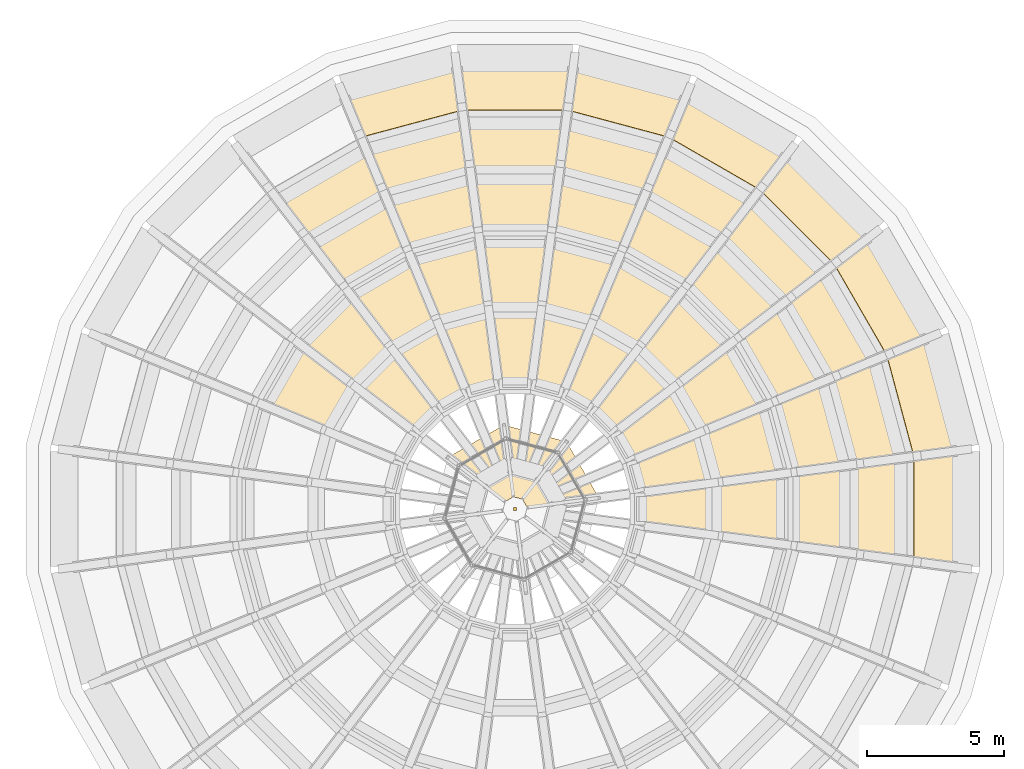
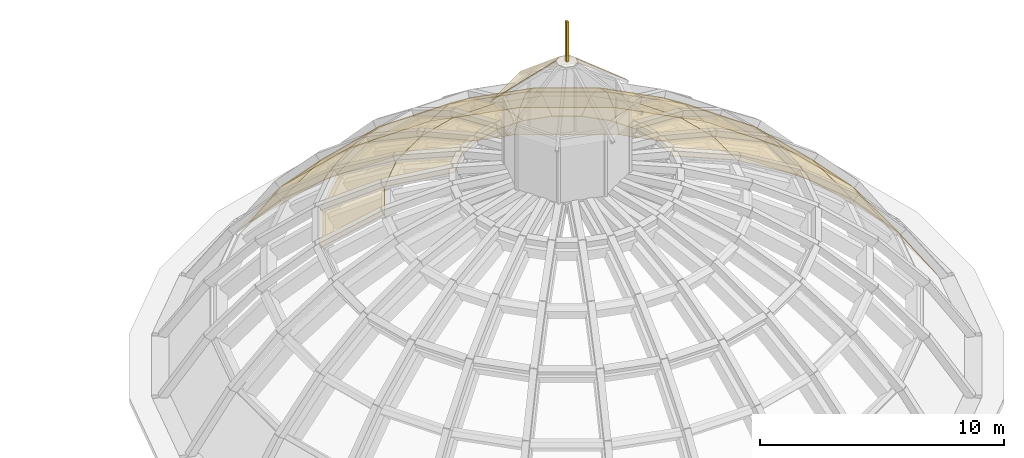
# One storey, part 29 of 29: 51 coverings.
"""IFC4 building model written with IfcOpenShell, lengths in metres."""

from ifc_helpers import new_model, si_unit, direction, frame, origin, place, context, subcontext, project, spatial, polyline, outline, extrude, material, layer, layer_set, type_object, element, save


model = new_model("IFC4")

# Units and contexts
model_context = context("Model", 3, precision=1e-05, world=origin(), true_north=direction((0.0, 1.0)))
body_context = subcontext(model_context, "Body", "Model", "MODEL_VIEW")
ifc_project = project(units=[si_unit("LENGTHUNIT", "METRE"), si_unit("AREAUNIT", "SQUARE_METRE"), si_unit("VOLUMEUNIT", "CUBIC_METRE"), si_unit("PLANEANGLEUNIT", "RADIAN"), si_unit("MASSUNIT", "GRAM", prefix="KILO")], contexts=[model_context])

# Site, building, storey
site_placement = place(None, origin())
site = spatial("IfcSite", under=ifc_project, at=site_placement, CompositionType="ELEMENT")
building_placement = place(site_placement, origin())
building = spatial("IfcBuilding", under=site, at=building_placement, Name="Golden Quay Civic Hall", CompositionType="ELEMENT")
storey_placement = place(building_placement, frame((0.0, 0.0, 27.0)))
storey = spatial("IfcBuildingStorey", under=building, at=storey_placement, Name="L06", CompositionType="ELEMENT", Elevation=27.0)

# Coverings
ifc_material_1 = material(Name="Ceramic tile")
ifc_layer_1 = layer(ifc_material_1, 0.030029296875)
ifc_layer_set_1 = layer_set([ifc_layer_1], Name="Ceramic tile roofing, green glaze")
covering_type_1 = type_object("IfcCoveringType", Name="Ceramic tile roofing, green glaze", PredefinedType="ROOFING", material=ifc_layer_set_1)
covering_1_placement = place(storey_placement, frame((101.7841796875, 87.647216796875, 0.162109375), z_axis=(0.805740157574, 0.215873860886, 0.551526313659), x_axis=(-0.258787898456, 0.96593417144, -7.500766e-06)))
element("IfcCovering", 1, at=covering_1_placement, inside=storey, type_object=covering_type_1, Name="Dome tile roofing 1.1", PredefinedType="ROOFING", context=body_context, shape_type="SweptSolid", body=[
    extrude(outline(polyline([(0.0, 0.0), (4.281332620416049, 0.0), (4.060298820204562, 3.0439011490324437), (0.22099051676284331, 3.0438281280134967), (0.0, 0.0)])), origin(), (0.0, 0.0, -1.0), 0.030029296875),
])
covering_2_placement = place(storey_placement, frame((100.673583984375, 91.78857421875, 0.162109375), z_axis=(0.722419194234, 0.41708510794, 0.551498432035), x_axis=(-0.499994774633, 0.866028420625, -3.146125e-06)))
element("IfcCovering", 2, at=covering_2_placement, inside=storey, type_object=covering_type_1, Name="Dome tile roofing 1.2", PredefinedType="ROOFING", context=body_context, shape_type="SweptSolid", body=[
    extrude(outline(polyline([(0.0, 0.0), (4.281330031252493, 0.0), (4.060276940055016, 3.043812687252853), (0.22094589185488453, 3.0437820598821443), (0.0, 0.0)])), origin(), (0.0, 0.0, -1.0), 0.030029296875),
])
covering_3_placement = place(storey_placement, frame((98.529052734375, 95.501708984375, 0.162109375), z_axis=(0.589828881025, 0.589828881025, 0.551546718074), x_axis=(-0.707106781187, 0.707106781187, 0.0)))
element("IfcCovering", 3, at=covering_3_placement, inside=storey, type_object=covering_type_1, Name="Dome tile roofing 1.3", PredefinedType="ROOFING", context=body_context, shape_type="SweptSolid", body=[
    extrude(outline(polyline([(0.0, 0.0), (4.281310589215424, 0.0), (4.060512353586129, 3.0439138695393515), (0.22079823562929546, 3.0439138695393515), (0.0, 0.0)])), origin(), (0.0, 0.0, -1.0), 0.030029296875),
])
covering_4_placement = place(storey_placement, frame((95.496337890625, 98.532958984375, 0.162109375), z_axis=(0.41708510794, 0.722419194234, 0.551498432035), x_axis=(-0.866028420625, 0.499994774633, 3.146125e-06)))
element("IfcCovering", 4, at=covering_4_placement, inside=storey, type_object=covering_type_1, Name="Dome tile roofing 1.4", PredefinedType="ROOFING", context=body_context, shape_type="SweptSolid", body=[
    extrude(outline(polyline([(0.0, 0.0), (4.281330031252493, 0.0), (4.060384139397608, 3.043782059882144), (0.22105309119747676, 3.043812687252853), (0.0, 0.0)])), origin(), (0.0, 0.0, -1.0), 0.030029296875),
])
covering_5_placement = place(storey_placement, frame((91.78271484375, 100.67626953125, 0.162109375), z_axis=(0.215873860886, 0.805740157574, 0.551526313659), x_axis=(-0.96593417144, 0.258787898456, 7.500766e-06)))
element("IfcCovering", 5, at=covering_5_placement, inside=storey, type_object=covering_type_1, Name="Dome tile roofing 1.5", PredefinedType="ROOFING", context=body_context, shape_type="SweptSolid", body=[
    extrude(outline(polyline([(0.0, 0.0), (4.281332620416049, 0.0), (4.0603421036532055, 3.0438281280134967), (0.22103380021148802, 3.0439011490324437), (0.0, 0.0)])), origin(), (0.0, 0.0, -1.0), 0.030029296875),
])
covering_6_placement = place(storey_placement, frame((87.640625, 101.78515625, 0.162109375), z_axis=(0.0, 0.834129739032, 0.551568289935), x_axis=(-1.0, 0.0, 0.0)))
element("IfcCovering", 6, at=covering_6_placement, inside=storey, type_object=covering_type_1, Name="Dome tile roofing 1.6", PredefinedType="ROOFING", context=body_context, shape_type="SweptSolid", body=[
    extrude(outline(polyline([(0.0, 0.0), (4.28125, 0.0), (4.060302734375, 3.043965921830922), (0.220947265625, 3.043965921830922), (0.0, 0.0)])), origin(), (0.0, 0.0, -1.0), 0.030029296875),
])
covering_7_placement = place(storey_placement, frame((83.352783203125, 101.7841796875, 0.162109375), z_axis=(-0.215873860886, 0.805740157574, 0.551526313659), x_axis=(-0.96593417144, -0.258787898456, -7.500766e-06)))
element("IfcCovering", 7, at=covering_7_placement, inside=storey, type_object=covering_type_1, Name="Dome tile roofing 1.7", PredefinedType="ROOFING", context=body_context, shape_type="SweptSolid", body=[
    extrude(outline(polyline([(0.0, 0.0), (4.281332620416049, 0.0), (4.060298820204562, 3.0439011490324437), (0.22099051676284331, 3.0438281280134967), (0.0, 0.0)])), origin(), (0.0, 0.0, -1.0), 0.030029296875),
])
covering_8_placement = place(storey_placement, frame((101.78515625, 83.359375, 0.162109375), z_axis=(0.834129739032, 0.0, 0.551568289935), x_axis=(0.0, 1.0, 0.0)))
element("IfcCovering", 8, at=covering_8_placement, inside=storey, type_object=covering_type_1, Name="Dome tile roofing 1.24", PredefinedType="ROOFING", context=body_context, shape_type="SweptSolid", body=[
    extrude(outline(polyline([(0.0, 0.0), (4.28125, 0.0), (4.060302734375, 3.043965921830922), (0.220947265625, 3.043965921830922), (0.0, 0.0)])), origin(), (0.0, 0.0, -1.0), 0.030029296875),
])
covering_9_placement = place(storey_placement, frame((100.1025390625, 87.42529296875, 2.705078125), z_axis=(0.708878331371, 0.189944939548, 0.679273458375), x_axis=(-0.258816057436, 0.965926626811, -5.564489e-06)))
element("IfcCovering", 9, at=covering_9_placement, inside=storey, type_object=covering_type_1, Name="Dome tile roofing 2.1", PredefinedType="ROOFING", context=body_context, shape_type="SweptSolid", body=[
    extrude(outline(polyline([(0.0, 0.0), (3.8393083044488256, -1.1102230246251565e-16), (3.5675539089432013, 3.0396206008163373), (0.2718945848052697, 3.039566501830165), (0.0, 0.0)])), origin(), (0.0, 0.0, -1.0), 0.030029296875),
])
covering_10_placement = place(storey_placement, frame((99.106689453125, 91.13916015625, 2.705078125), z_axis=(0.635566847761, 0.366940723833, 0.67927114411), x_axis=(-0.499999284017, 0.866025817147, 4.164204e-06)))
element("IfcCovering", 10, at=covering_10_placement, inside=storey, type_object=covering_type_1, Name="Dome tile roofing 2.2", PredefinedType="ROOFING", context=body_context, shape_type="SweptSolid", body=[
    extrude(outline(polyline([(0.0, 0.0), (3.839331048327833, -2.220446049250313e-16), (3.567422145699355, 3.0395644367292958), (0.2719297213147644, 3.0396049209534723), (0.0, 0.0)])), origin(), (0.0, 0.0, -1.0), 0.030029296875),
])
covering_11_placement = place(storey_placement, frame((97.18359375, 94.46875, 2.705078125), z_axis=(0.518937405576, 0.518937405576, 0.67927015111), x_axis=(-0.707106781187, 0.707106781187, 0.0)))
element("IfcCovering", 11, at=covering_11_placement, inside=storey, type_object=covering_type_1, Name="Dome tile roofing 2.3", PredefinedType="ROOFING", context=body_context, shape_type="SweptSolid", body=[
    extrude(outline(polyline([(0.0, 0.0), (3.8393688509738326, 0.0), (3.5676437353518535, 3.039580872168448), (0.271725115621979, 3.0395808721684485), (0.0, 0.0)])), origin(), (0.0, 0.0, -1.0), 0.030029296875),
])
covering_12_placement = place(storey_placement, frame((94.464111328125, 97.18701171875, 2.705078125), z_axis=(0.366940723833, 0.635566847761, 0.67927114411), x_axis=(-0.866025817147, 0.499999284017, -4.164204e-06)))
element("IfcCovering", 12, at=covering_12_placement, inside=storey, type_object=covering_type_1, Name="Dome tile roofing 2.4", PredefinedType="ROOFING", context=body_context, shape_type="SweptSolid", body=[
    extrude(outline(polyline([(0.0, 0.0), (3.839331048327833, 2.220446049250313e-16), (3.5674013270130684, 3.039604920953473), (0.27190890262847806, 3.0395644367292958), (0.0, 0.0)])), origin(), (0.0, 0.0, -1.0), 0.030029296875),
])
covering_13_placement = place(storey_placement, frame((91.1337890625, 99.10888671875, 2.705078125), z_axis=(0.189944939548, 0.708878331371, 0.679273458375), x_axis=(-0.965926626811, 0.258816057436, 5.564489e-06)))
element("IfcCovering", 13, at=covering_13_placement, inside=storey, type_object=covering_type_1, Name="Dome tile roofing 2.5", PredefinedType="ROOFING", context=body_context, shape_type="SweptSolid", body=[
    extrude(outline(polyline([(0.0, 0.0), (3.8393083044488256, 1.1102230246251565e-16), (3.5674137196435556, 3.0395665018301656), (0.27175439550562486, 3.0396206008163373), (0.0, 0.0)])), origin(), (0.0, 0.0, -1.0), 0.030029296875),
])
covering_14_placement = place(storey_placement, frame((87.419677734375, 100.103271484375, 2.705078125), z_axis=(0.0, 0.733888200991, 0.679270276434), x_axis=(-1.0, 0.0, 0.0)))
element("IfcCovering", 14, at=covering_14_placement, inside=storey, type_object=covering_type_1, Name="Dome tile roofing 2.6", PredefinedType="ROOFING", context=body_context, shape_type="SweptSolid", body=[
    extrude(outline(polyline([(0.0, 0.0), (3.83935546875, 0.0), (3.5673828125, 3.039581352601028), (0.27197265625, 3.039581352601028), (0.0, 0.0)])), origin(), (0.0, 0.0, -1.0), 0.030029296875),
])
covering_15_placement = place(storey_placement, frame((83.57470703125, 100.1025390625, 2.705078125), z_axis=(-0.189944939548, 0.708878331371, 0.679273458375), x_axis=(-0.965926626811, -0.258816057436, -5.564489e-06)))
element("IfcCovering", 15, at=covering_15_placement, inside=storey, type_object=covering_type_1, Name="Dome tile roofing 2.7", PredefinedType="ROOFING", context=body_context, shape_type="SweptSolid", body=[
    extrude(outline(polyline([(0.0, 0.0), (3.8393083044488256, -1.1102230246251565e-16), (3.5675539089432013, 3.0396206008163373), (0.2718945848052697, 3.039566501830165), (0.0, 0.0)])), origin(), (0.0, 0.0, -1.0), 0.030029296875),
])
covering_16_placement = place(storey_placement, frame((79.86083984375, 99.106689453125, 2.705078125), z_axis=(-0.366940723833, 0.635566847761, 0.67927114411), x_axis=(-0.866025817147, -0.499999284017, 4.164204e-06)))
element("IfcCovering", 16, at=covering_16_placement, inside=storey, type_object=covering_type_1, Name="Dome tile roofing 2.8", PredefinedType="ROOFING", context=body_context, shape_type="SweptSolid", body=[
    extrude(outline(polyline([(0.0, 0.0), (3.839331048327833, -2.220446049250313e-16), (3.567422145699355, 3.0395644367292958), (0.2719297213147644, 3.0396049209534723), (0.0, 0.0)])), origin(), (0.0, 0.0, -1.0), 0.030029296875),
])
covering_17_placement = place(storey_placement, frame((100.103271484375, 83.580322265625, 2.705078125), z_axis=(0.733888200991, 0.0, 0.679270276434), x_axis=(0.0, 1.0, 0.0)))
element("IfcCovering", 17, at=covering_17_placement, inside=storey, type_object=covering_type_1, Name="Dome tile roofing 2.24", PredefinedType="ROOFING", context=body_context, shape_type="SweptSolid", body=[
    extrude(outline(polyline([(0.0, 0.0), (3.83935546875, 0.0), (3.5673828125, 3.039581352601028), (0.27197265625, 3.039581352601028), (0.0, 0.0)])), origin(), (0.0, 0.0, -1.0), 0.030029296875),
])
covering_18_placement = place(storey_placement, frame((98.034423828125, 87.152587890625, 4.939208984375), z_axis=(0.593030339948, 0.158907587063, 0.789343648024), x_axis=(-0.258831309273, 0.965922540026, 3.039489e-06)))
element("IfcCovering", 18, at=covering_18_placement, inside=storey, type_object=covering_type_1, Name="Dome tile roofing 3.1", PredefinedType="ROOFING", context=body_context, shape_type="SweptSolid", body=[
    extrude(outline(polyline([(0.0, 0.0), (3.2956593247075916, 1.1102230246251565e-16), (2.980322356068055, 3.0356796500240923), (0.31554701715372285, 3.035709158337486), (0.0, 0.0)])), origin(), (0.0, 0.0, -1.0), 0.030029296875),
])
covering_19_placement = place(storey_placement, frame((97.1796875, 90.34033203125, 4.939208984375), z_axis=(0.531722573778, 0.306977745843, 0.789326148111), x_axis=(-0.500001131999, 0.8660247501, 1.4649417e-05)))
element("IfcCovering", 19, at=covering_19_placement, inside=storey, type_object=covering_type_1, Name="Dome tile roofing 3.2", PredefinedType="ROOFING", context=body_context, shape_type="SweptSolid", body=[
    extrude(outline(polyline([(0.0, 0.0), (3.2958259263691243, 0.0), (2.980385393931973, 3.0355120530276447), (0.3155811605310277, 3.0356542736119536), (0.0, 0.0)])), origin(), (0.0, 0.0, -1.0), 0.030029296875),
])
covering_20_placement = place(storey_placement, frame((95.52880859375, 93.198486328125, 4.939208984375), z_axis=(0.434115883787, 0.434115883787, 0.789358472995), x_axis=(-0.707106781187, 0.707106781187, 0.0)))
element("IfcCovering", 20, at=covering_20_placement, inside=storey, type_object=covering_type_1, Name="Dome tile roofing 3.3", PredefinedType="ROOFING", context=body_context, shape_type="SweptSolid", body=[
    extrude(outline(polyline([(0.0, 0.0), (3.295573352746873, 0.0), (2.980171963775237, 3.0357886530678746), (0.3154013889716363, 3.0357886530678746), (0.0, 0.0)])), origin(), (0.0, 0.0, -1.0), 0.030029296875),
])
covering_21_placement = place(storey_placement, frame((93.194580078125, 95.53173828125, 4.939208984375), z_axis=(0.306977745843, 0.531722573778, 0.789326148111), x_axis=(-0.8660247501, 0.500001131999, -1.4649417e-05)))
element("IfcCovering", 21, at=covering_21_placement, inside=storey, type_object=covering_type_1, Name="Dome tile roofing 3.4", PredefinedType="ROOFING", context=body_context, shape_type="SweptSolid", body=[
    extrude(outline(polyline([(0.0, 0.0), (3.2958259263691243, 0.0), (2.9802447658380964, 3.0356542736119536), (0.3154405324371513, 3.0355120530276447), (0.0, 0.0)])), origin(), (0.0, 0.0, -1.0), 0.030029296875),
])
covering_22_placement = place(storey_placement, frame((90.3359375, 97.181396484375, 4.939208984375), z_axis=(0.158907587063, 0.593030339948, 0.789343648024), x_axis=(-0.965922540026, 0.258831309273, -3.039489e-06)))
element("IfcCovering", 22, at=covering_22_placement, inside=storey, type_object=covering_type_1, Name="Dome tile roofing 3.5", PredefinedType="ROOFING", context=body_context, shape_type="SweptSolid", body=[
    extrude(outline(polyline([(0.0, 0.0), (3.2956593247075916, -1.1102230246251565e-16), (2.9801123075538687, 3.035709158337486), (0.31533696863953575, 3.0356796500240923), (0.0, 0.0)])), origin(), (0.0, 0.0, -1.0), 0.030029296875),
])
covering_23_placement = place(storey_placement, frame((87.147705078125, 98.034912109375, 4.939208984375), z_axis=(0.0, 0.613985157117, 0.789317570336), x_axis=(-1.0, 0.0, 0.0)))
element("IfcCovering", 23, at=covering_23_placement, inside=storey, type_object=covering_type_1, Name="Dome tile roofing 3.6", PredefinedType="ROOFING", context=body_context, shape_type="SweptSolid", body=[
    extrude(outline(polyline([(0.0, 0.0), (3.29541015625, 0.0), (2.980224609375, 3.0355286437260154), (0.315185546875, 3.0355286437260154), (0.0, 0.0)])), origin(), (0.0, 0.0, -1.0), 0.030029296875),
])
covering_24_placement = place(storey_placement, frame((83.847412109375, 98.034423828125, 4.939208984375), z_axis=(-0.158907587063, 0.593030339948, 0.789343648024), x_axis=(-0.965922540026, -0.258831309273, 3.039489e-06)))
element("IfcCovering", 24, at=covering_24_placement, inside=storey, type_object=covering_type_1, Name="Dome tile roofing 3.7", PredefinedType="ROOFING", context=body_context, shape_type="SweptSolid", body=[
    extrude(outline(polyline([(0.0, 0.0), (3.2956593247075916, 1.1102230246251565e-16), (2.980322356068055, 3.0356796500240923), (0.31554701715372285, 3.035709158337486), (0.0, 0.0)])), origin(), (0.0, 0.0, -1.0), 0.030029296875),
])
covering_25_placement = place(storey_placement, frame((80.65966796875, 97.1796875, 4.939208984375), z_axis=(-0.306977745843, 0.531722573778, 0.789326148111), x_axis=(-0.8660247501, -0.500001131999, 1.4649417e-05)))
element("IfcCovering", 25, at=covering_25_placement, inside=storey, type_object=covering_type_1, Name="Dome tile roofing 3.8", PredefinedType="ROOFING", context=body_context, shape_type="SweptSolid", body=[
    extrude(outline(polyline([(0.0, 0.0), (3.2958259263691243, 0.0), (2.980385393931973, 3.0355120530276447), (0.3155811605310277, 3.0356542736119536), (0.0, 0.0)])), origin(), (0.0, 0.0, -1.0), 0.030029296875),
])
covering_26_placement = place(storey_placement, frame((98.034912109375, 83.852294921875, 4.939208984375), z_axis=(0.613985157117, 0.0, 0.789317570336), x_axis=(0.0, 1.0, 0.0)))
element("IfcCovering", 26, at=covering_26_placement, inside=storey, type_object=covering_type_1, Name="Dome tile roofing 3.24", PredefinedType="ROOFING", context=body_context, shape_type="SweptSolid", body=[
    extrude(outline(polyline([(0.0, 0.0), (3.29541015625, 0.0), (2.980224609375, 3.0355286437260154), (0.315185546875, 3.0355286437260154), (0.0, 0.0)])), origin(), (0.0, 0.0, -1.0), 0.030029296875),
])
covering_27_placement = place(storey_placement, frame((95.63427734375, 86.836181640625, 6.8056640625), z_axis=(0.461042312373, 0.123525399186, 0.878738562917), x_axis=(-0.258815131869, 0.965926874783, 9.358963e-06)))
element("IfcCovering", 27, at=covering_27_placement, inside=storey, type_object=covering_type_1, Name="Dome tile roofing 4.1", PredefinedType="ROOFING", context=body_context, shape_type="SweptSolid", body=[
    extrude(outline(polyline([(0.0, 0.0), (2.6647753389567947, -1.1102230246251565e-16), (2.313995000782084, 3.031614315899368), (0.3506370289232735, 3.0317050643175447), (0.0, 0.0)])), origin(), (0.0, 0.0, -1.0), 0.030029296875),
])
covering_28_placement = place(storey_placement, frame((94.943115234375, 89.41357421875, 6.8056640625), z_axis=(0.413366714096, 0.238648335031, 0.878734847303), x_axis=(-0.499990672115, 0.866030789169, 3.067239e-06)))
element("IfcCovering", 28, at=covering_28_placement, inside=storey, type_object=covering_type_1, Name="Dome tile roofing 4.2", PredefinedType="ROOFING", context=body_context, shape_type="SweptSolid", body=[
    extrude(outline(polyline([(0.0, 0.0), (2.6645928019913105, 0.0), (2.3141036593629254, 3.031601369376322), (0.3506351683628998, 3.031631109723289), (0.0, 0.0)])), origin(), (0.0, 0.0, -1.0), 0.030029296875),
])
covering_29_placement = place(storey_placement, frame((93.6083984375, 91.72412109375, 6.8056640625), z_axis=(0.337517079986, 0.337517079986, 0.87872887823), x_axis=(-0.707106781187, 0.707106781187, 0.0)))
element("IfcCovering", 29, at=covering_29_placement, inside=storey, type_object=covering_type_1, Name="Dome tile roofing 4.3", PredefinedType="ROOFING", context=body_context, shape_type="SweptSolid", body=[
    extrude(outline(polyline([(0.0, 0.0), (2.6647705748036006, 0.0), (2.3141519535658372, 3.0315464454888756), (0.3506186212377631, 3.031546445488875), (0.0, 0.0)])), origin(), (0.0, 0.0, -1.0), 0.030029296875),
])
covering_30_placement = place(storey_placement, frame((91.72119140625, 93.61083984375, 6.8056640625), z_axis=(0.238648335031, 0.413366714096, 0.878734847303), x_axis=(-0.866030789169, 0.499990672115, -3.067239e-06)))
element("IfcCovering", 30, at=covering_30_placement, inside=storey, type_object=covering_type_1, Name="Dome tile roofing 4.4", PredefinedType="ROOFING", context=body_context, shape_type="SweptSolid", body=[
    extrude(outline(polyline([(0.0, 0.0), (2.6645928019913105, 0.0), (2.313957633628411, 3.031631109723289), (0.3504891426283849, 3.031601369376322), (0.0, 0.0)])), origin(), (0.0, 0.0, -1.0), 0.030029296875),
])
covering_31_placement = place(storey_placement, frame((89.41015625, 94.944580078125, 6.8056640625), z_axis=(0.123525399186, 0.461042312373, 0.878738562917), x_axis=(-0.965926874783, 0.258815131869, -9.358963e-06)))
element("IfcCovering", 31, at=covering_31_placement, inside=storey, type_object=covering_type_1, Name="Dome tile roofing 4.5", PredefinedType="ROOFING", context=body_context, shape_type="SweptSolid", body=[
    extrude(outline(polyline([(0.0, 0.0), (2.6647753389567947, 1.1102230246251565e-16), (2.3141383100335218, 3.0317050643175447), (0.3507803381747112, 3.031614315899368), (0.0, 0.0)])), origin(), (0.0, 0.0, -1.0), 0.030029296875),
])
covering_32_placement = place(storey_placement, frame((86.83251953125, 95.634765625, 6.8056640625), z_axis=(0.0, 0.477299774703, 0.878740533416), x_axis=(-1.0, 0.0, 0.0)))
element("IfcCovering", 32, at=covering_32_placement, inside=storey, type_object=covering_type_1, Name="Dome tile roofing 4.6", PredefinedType="ROOFING", context=body_context, shape_type="SweptSolid", body=[
    extrude(outline(polyline([(0.0, 0.0), (2.6650390625, 0.0), (2.314208984375, 3.0316827307864984), (0.350830078125, 3.0316827307864984), (0.0, 0.0)])), origin(), (0.0, 0.0, -1.0), 0.030029296875),
])
covering_33_placement = place(storey_placement, frame((84.163818359375, 95.63427734375, 6.8056640625), z_axis=(-0.123525399186, 0.461042312373, 0.878738562917), x_axis=(-0.965926874783, -0.258815131869, 9.358963e-06)))
element("IfcCovering", 33, at=covering_33_placement, inside=storey, type_object=covering_type_1, Name="Dome tile roofing 4.7", PredefinedType="ROOFING", context=body_context, shape_type="SweptSolid", body=[
    extrude(outline(polyline([(0.0, 0.0), (2.6647753389567947, -1.1102230246251565e-16), (2.313995000782084, 3.031614315899368), (0.3506370289232735, 3.0317050643175447), (0.0, 0.0)])), origin(), (0.0, 0.0, -1.0), 0.030029296875),
])
covering_34_placement = place(storey_placement, frame((81.58642578125, 94.943115234375, 6.8056640625), z_axis=(-0.238648335031, 0.413366714096, 0.878734847303), x_axis=(-0.866030789169, -0.499990672115, 3.067239e-06)))
element("IfcCovering", 34, at=covering_34_placement, inside=storey, type_object=covering_type_1, Name="Dome tile roofing 4.8", PredefinedType="ROOFING", context=body_context, shape_type="SweptSolid", body=[
    extrude(outline(polyline([(0.0, 0.0), (2.6645928019913105, 0.0), (2.3141036593629254, 3.031601369376322), (0.3506351683628998, 3.031631109723289), (0.0, 0.0)])), origin(), (0.0, 0.0, -1.0), 0.030029296875),
])
covering_35_placement = place(storey_placement, frame((79.27587890625, 93.6083984375, 6.8056640625), z_axis=(-0.337517079986, 0.337517079986, 0.87872887823), x_axis=(-0.707106781187, -0.707106781187, 0.0)))
element("IfcCovering", 35, at=covering_35_placement, inside=storey, type_object=covering_type_1, Name="Dome tile roofing 4.9", PredefinedType="ROOFING", context=body_context, shape_type="SweptSolid", body=[
    extrude(outline(polyline([(0.0, 0.0), (2.6647705748036006, 0.0), (2.3141519535658372, 3.0315464454888756), (0.3506186212377631, 3.031546445488875), (0.0, 0.0)])), origin(), (0.0, 0.0, -1.0), 0.030029296875),
])
covering_36_placement = place(storey_placement, frame((77.38916015625, 91.72119140625, 6.8056640625), z_axis=(-0.413366714096, 0.238648335031, 0.878734847303), x_axis=(-0.499990672115, -0.866030789169, -3.067239e-06)))
element("IfcCovering", 36, at=covering_36_placement, inside=storey, type_object=covering_type_1, Name="Dome tile roofing 4.10", PredefinedType="ROOFING", context=body_context, shape_type="SweptSolid", body=[
    extrude(outline(polyline([(0.0, 0.0), (2.6645928019913105, 0.0), (2.313957633628411, 3.031631109723289), (0.3504891426283849, 3.031601369376322), (0.0, 0.0)])), origin(), (0.0, 0.0, -1.0), 0.030029296875),
])
covering_37_placement = place(storey_placement, frame((95.634765625, 84.16748046875, 6.8056640625), z_axis=(0.477299774703, 0.0, 0.878740533416), x_axis=(0.0, 1.0, 0.0)))
element("IfcCovering", 37, at=covering_37_placement, inside=storey, type_object=covering_type_1, Name="Dome tile roofing 4.24", PredefinedType="ROOFING", context=body_context, shape_type="SweptSolid", body=[
    extrude(outline(polyline([(0.0, 0.0), (2.6650390625, 0.0), (2.314208984375, 3.0316827307864984), (0.350830078125, 3.0316827307864984), (0.0, 0.0)])), origin(), (0.0, 0.0, -1.0), 0.030029296875),
])
covering_38_placement = place(storey_placement, frame((92.966064453125, 86.484130859375, 8.25439453125), z_axis=(0.316442892005, 0.084762839173, 0.944816996669), x_axis=(-0.258766089891, 0.965940013994, 9.389947e-06)))
element("IfcCovering", 38, at=covering_38_placement, inside=storey, type_object=covering_type_1, Name="Dome tile roofing 5.1", PredefinedType="ROOFING", context=body_context, shape_type="SweptSolid", body=[
    extrude(outline(polyline([(0.0, 0.0), (1.9633579740642204, -5.551115123125783e-17), (1.5864948811010409, 3.0286228418594443), (0.3766089010647602, 3.028713796435269), (0.0, 0.0)])), origin(), (0.0, 0.0, -1.0), 0.030029296875),
])
covering_39_placement = place(storey_placement, frame((92.456787109375, 88.383056640625, 8.25439453125), z_axis=(0.283729400951, 0.16381995174, 0.944807202792), x_axis=(-0.500029839935, 0.866008174996, 3.968543e-06)))
element("IfcCovering", 39, at=covering_39_placement, inside=storey, type_object=covering_type_1, Name="Dome tile roofing 5.2", PredefinedType="ROOFING", context=body_context, shape_type="SweptSolid", body=[
    extrude(outline(polyline([(0.0, 0.0), (1.9632570598257966, -1.1102230246251565e-16), (1.5866704240342444, 3.0283879923228856), (0.37671411777469815, 3.028426429450894), (0.0, 0.0)])), origin(), (0.0, 0.0, -1.0), 0.030029296875),
])
covering_40_placement = place(storey_placement, frame((91.4736328125, 90.085205078125, 8.25439453125), z_axis=(0.23165710518, 0.23165710518, 0.944812135421), x_axis=(-0.707106781187, 0.707106781187, 0.0)))
element("IfcCovering", 40, at=covering_40_placement, inside=storey, type_object=covering_type_1, Name="Dome tile roofing 5.3", PredefinedType="ROOFING", context=body_context, shape_type="SweptSolid", body=[
    extrude(outline(polyline([(0.0, 0.0), (1.9635333323280741, 0.0), (1.5866744203822165, 3.0285387055772093), (0.37685891194585763, 3.0285387055772093), (0.0, 0.0)])), origin(), (0.0, 0.0, -1.0), 0.030029296875),
])
covering_41_placement = place(storey_placement, frame((90.083251953125, 91.47509765625, 8.25439453125), z_axis=(0.16381995174, 0.283729400951, 0.944807202792), x_axis=(-0.866008174996, 0.500029839935, -3.968543e-06)))
element("IfcCovering", 41, at=covering_41_placement, inside=storey, type_object=covering_type_1, Name="Dome tile roofing 5.4", PredefinedType="ROOFING", context=body_context, shape_type="SweptSolid", body=[
    extrude(outline(polyline([(0.0, 0.0), (1.9632570598257966, 1.1102230246251565e-16), (1.5865429420510984, 3.0284264294508945), (0.3765866357915519, 3.0283879923228856), (0.0, 0.0)])), origin(), (0.0, 0.0, -1.0), 0.030029296875),
])
covering_42_placement = place(storey_placement, frame((88.380615234375, 92.4580078125, 8.25439453125), z_axis=(0.084762839173, 0.316442892005, 0.944816996669), x_axis=(-0.965940013994, 0.258766089891, -9.389947e-06)))
element("IfcCovering", 42, at=covering_42_placement, inside=storey, type_object=covering_type_1, Name="Dome tile roofing 5.5", PredefinedType="ROOFING", context=body_context, shape_type="SweptSolid", body=[
    extrude(outline(polyline([(0.0, 0.0), (1.9633579740642204, 5.551115123125783e-17), (1.58674907299946, 3.0287137964352695), (0.3768630929631793, 3.0286228418594447), (0.0, 0.0)])), origin(), (0.0, 0.0, -1.0), 0.030029296875),
])
covering_43_placement = place(storey_placement, frame((86.481689453125, 92.96630859375, 8.25439453125), z_axis=(0.0, 0.327619978549, 0.944809583808), x_axis=(-1.0, 0.0, 0.0)))
element("IfcCovering", 43, at=covering_43_placement, inside=storey, type_object=covering_type_1, Name="Dome tile roofing 5.6", PredefinedType="ROOFING", context=body_context, shape_type="SweptSolid", body=[
    extrude(outline(polyline([(0.0, 0.0), (1.96337890625, 0.0), (1.586669921875, 3.0284706823861223), (0.376708984375, 3.0284706823861223), (0.0, 0.0)])), origin(), (0.0, 0.0, -1.0), 0.030029296875),
])
covering_44_placement = place(storey_placement, frame((84.515869140625, 92.966064453125, 8.25439453125), z_axis=(-0.084762839173, 0.316442892005, 0.944816996669), x_axis=(-0.965940013994, -0.258766089891, 9.389947e-06)))
element("IfcCovering", 44, at=covering_44_placement, inside=storey, type_object=covering_type_1, Name="Dome tile roofing 5.7", PredefinedType="ROOFING", context=body_context, shape_type="SweptSolid", body=[
    extrude(outline(polyline([(0.0, 0.0), (1.9633579740642204, -5.551115123125783e-17), (1.5864948811010409, 3.0286228418594443), (0.3766089010647602, 3.028713796435269), (0.0, 0.0)])), origin(), (0.0, 0.0, -1.0), 0.030029296875),
])
covering_45_placement = place(storey_placement, frame((82.616943359375, 92.456787109375, 8.25439453125), z_axis=(-0.16381995174, 0.283729400951, 0.944807202792), x_axis=(-0.866008174996, -0.500029839935, 3.968543e-06)))
element("IfcCovering", 45, at=covering_45_placement, inside=storey, type_object=covering_type_1, Name="Dome tile roofing 5.8", PredefinedType="ROOFING", context=body_context, shape_type="SweptSolid", body=[
    extrude(outline(polyline([(0.0, 0.0), (1.9632570598257966, -1.1102230246251565e-16), (1.5866704240342444, 3.0283879923228856), (0.37671411777469815, 3.028426429450894), (0.0, 0.0)])), origin(), (0.0, 0.0, -1.0), 0.030029296875),
])
covering_46_placement = place(storey_placement, frame((80.914794921875, 91.4736328125, 8.25439453125), z_axis=(-0.23165710518, 0.23165710518, 0.944812135421), x_axis=(-0.707106781187, -0.707106781187, 0.0)))
element("IfcCovering", 46, at=covering_46_placement, inside=storey, type_object=covering_type_1, Name="Dome tile roofing 5.9", PredefinedType="ROOFING", context=body_context, shape_type="SweptSolid", body=[
    extrude(outline(polyline([(0.0, 0.0), (1.9635333323280741, 0.0), (1.5866744203822165, 3.0285387055772093), (0.37685891194585763, 3.0285387055772093), (0.0, 0.0)])), origin(), (0.0, 0.0, -1.0), 0.030029296875),
])
covering_47_placement = place(storey_placement, frame((92.96630859375, 84.518310546875, 8.25439453125), z_axis=(0.327619978549, 0.0, 0.944809583808), x_axis=(0.0, 1.0, 0.0)))
element("IfcCovering", 47, at=covering_47_placement, inside=storey, type_object=covering_type_1, Name="Dome tile roofing 5.24", PredefinedType="ROOFING", context=body_context, shape_type="SweptSolid", body=[
    extrude(outline(polyline([(0.0, 0.0), (1.96337890625, 0.0), (1.586669921875, 3.0284706823861223), (0.376708984375, 3.0284706823861223), (0.0, 0.0)])), origin(), (0.0, 0.0, -1.0), 0.030029296875),
])
ifc_material_2 = material(Name="Copper")
covering_type_2 = type_object("IfcCoveringType", Name="Copper finial spike 120", PredefinedType="CLADDING", material=ifc_material_2)
covering_48_placement = place(storey_placement, frame((0.0, 0.0, 15.216552734375)))
element("IfcCovering", 48, at=covering_48_placement, inside=storey, type_object=covering_type_2, Name="Crown finial", PredefinedType="CLADDING", context=body_context, shape_type="SweptSolid", body=[
    extrude(outline(polyline([(85.43994140625, 85.43994140625), (85.56005859375, 85.43994140625), (85.56005859375, 85.56005859375), (85.43994140625, 85.56005859375), (85.43994140625, 85.43994140625)])), origin(), (0.0, 0.0, 1.0), 2.0),
])
ifc_material_3 = material(Name="Copper")
ifc_layer_2 = layer(ifc_material_3, 0.030029296875)
ifc_layer_set_2 = layer_set([ifc_layer_2], Name="Copper roof sheeting 3")
covering_type_3 = type_object("IfcCoveringType", Name="Copper roof sheeting 3", PredefinedType="ROOFING", material=ifc_layer_set_2)
covering_49_placement = place(storey_placement, frame((88.573486328125, 85.904541015625, 12.997802734375), z_axis=(0.581551458715, 0.335754110152, 0.740990606136), x_axis=(-0.499973981737, 0.866040424644, -2.163824e-05)))
element("IfcCovering", 49, at=covering_49_placement, inside=storey, type_object=covering_type_3, Name="Crown roofing 1", PredefinedType="ROOFING", context=body_context, shape_type="SweptSolid", body=[
    extrude(outline(polyline([(0.0, 0.0), (2.372762654172357, 1.1102230246251565e-16), (1.3584294720327343, 3.304137807999161), (1.013877951031395, 3.3040502479853906), (0.0, 0.0)])), origin(), (0.0, 0.0, -1.0), 0.030029296875),
])
covering_50_placement = place(storey_placement, frame((87.38720703125, 87.95947265625, 12.997802734375), z_axis=(0.173847210471, 0.648623278496, 0.740989196955), x_axis=(-0.965920954497, 0.258837221928, 4.6985827e-05)))
element("IfcCovering", 50, at=covering_50_placement, inside=storey, type_object=covering_type_3, Name="Crown roofing 2", PredefinedType="ROOFING", context=body_context, shape_type="SweptSolid", body=[
    extrude(outline(polyline([(0.0, 0.0), (2.3725770539587017, 0.0), (1.3585071490524054, 3.3039913363885782), (1.0141910447430944, 3.3041814365390727), (0.0, 0.0)])), origin(), (0.0, 0.0, -1.0), 0.030029296875),
])
covering_51_placement = place(storey_placement, frame((85.095458984375, 88.573486328125, 12.997802734375), z_axis=(-0.335754110152, 0.581551458715, 0.740990606136), x_axis=(-0.866040424644, -0.499973981737, -2.163824e-05)))
element("IfcCovering", 51, at=covering_51_placement, inside=storey, type_object=covering_type_3, Name="Crown roofing 3", PredefinedType="ROOFING", context=body_context, shape_type="SweptSolid", body=[
    extrude(outline(polyline([(0.0, 0.0), (2.372762654172357, 1.1102230246251565e-16), (1.3584294720327343, 3.304137807999161), (1.013877951031395, 3.3040502479853906), (0.0, 0.0)])), origin(), (0.0, 0.0, -1.0), 0.030029296875),
])

save(model, "model.ifc")
